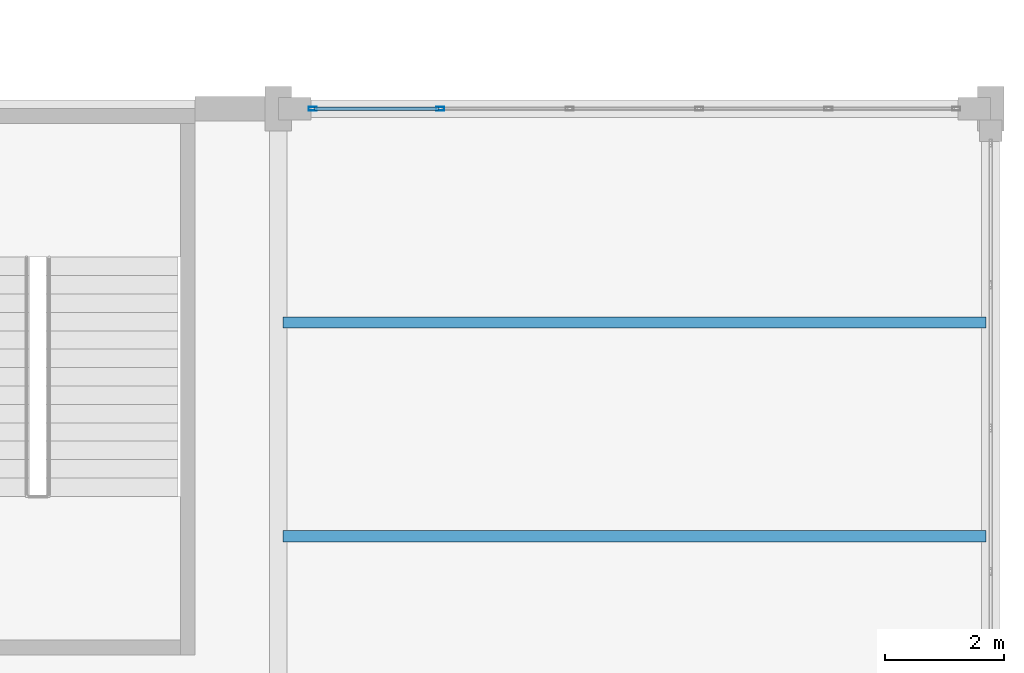
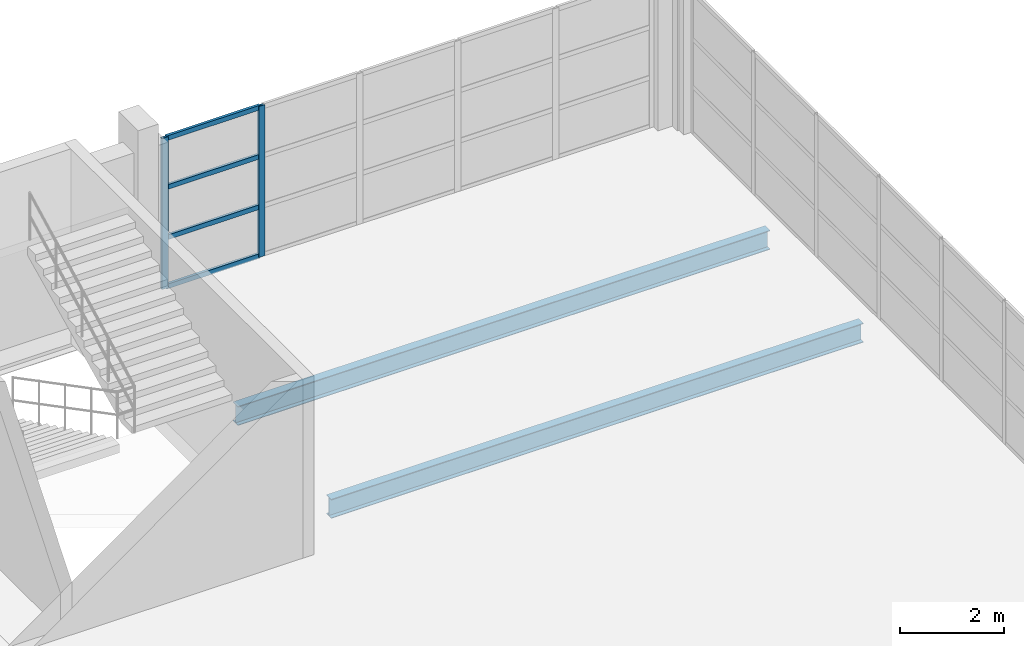
# One storey, part 116 of 147: 6 members, 2 beams, 1 element without a shape of its own.
"""IFC4 building model written with IfcOpenShell, lengths in metres."""

from ifc_helpers import new_model, si_unit, direction, frame, origin, origin_2d, place, context, subcontext, project, spatial, hollow_rectangle, i_section, extrude, material, layer, layer_set, material_profile, profile_set, type_object, element, aggregate, save


model = new_model("IFC4")

# Units and contexts
model_context = context("Model", 3, precision=1e-05, world=origin(), true_north=direction((0.0, 1.0)))
body_context = subcontext(model_context, "Body", "Model", "MODEL_VIEW")
ifc_project = project(units=[si_unit("LENGTHUNIT", "METRE"), si_unit("AREAUNIT", "SQUARE_METRE"), si_unit("VOLUMEUNIT", "CUBIC_METRE"), si_unit("PLANEANGLEUNIT", "RADIAN"), si_unit("MASSUNIT", "GRAM", prefix="KILO")], contexts=[model_context])

# Site, building, storey
site_placement = place(None, origin())
site = spatial("IfcSite", under=ifc_project, at=site_placement, CompositionType="ELEMENT")
building_placement = place(site_placement, origin())
building = spatial("IfcBuilding", under=site, at=building_placement, Name="Zilviju Railside Exhibition Hall", CompositionType="ELEMENT")
storey_placement = place(building_placement, frame((0.0, 0.0, 8.39990234375)))
storey = spatial("IfcBuildingStorey", under=building, at=storey_placement, Name="L03", CompositionType="ELEMENT", Elevation=8.39990234375)

# Beams
ifc_material_1 = material(Name="Steel S355J2", Category="steel")
ifc_material_profile_1 = material_profile(ifc_material_1, i_section(OverallWidth=0.18994140625, OverallDepth=0.449951171875, WebThickness=0.009521484375, FlangeThickness=0.0146484375, at=origin_2d()), Name="IPE 450")
ifc_profile_set_1 = profile_set([ifc_material_profile_1], Name="Steel S355J2")
beam_type = type_object("IfcBeamType", Name="BM-IPE450", PredefinedType="JOIST", material=ifc_profile_set_1)
for number, where, z_axis, x_axis, name in (
    (1, (204.080078125, 130.800048828125, -0.60498046875), (1.0, 0.0, 0.0), (0.0, 1.0, 0.0), "Composite Floor Joist L03 Y=130.80 (204.0..216.0)"),
    (2, (204.080078125, 134.39990234375, -0.60498046875), (1.0, 0.0, 0.0), (0.0, 1.0, 0.0), "Composite Floor Joist L03 Y=134.40 (204.0..216.0)"),
):
    element("IfcBeam", number, at=place(storey_placement, frame(where, z_axis=z_axis, x_axis=x_axis)), inside=storey, type_object=beam_type, Name=name, PredefinedType="JOIST", context=body_context, shape_type="SweptSolid", body=[
        extrude(i_section(OverallWidth=0.18994140625, OverallDepth=0.449951171875, WebThickness=0.009521484375, FlangeThickness=0.0146484375, at=origin_2d()), origin(), (0.0, 0.0, 1.0), 11.83984375),
    ])

# Curtain wall, members
ifc_material_2 = material(Name="Thermally broken aluminium-steel triple-glazed curtain wall", Category="steel")
ifc_layer = layer(ifc_material_2, 0.179931640625)
ifc_layer_set = layer_set([ifc_layer], Name="Thermally broken aluminium-steel triple-glazed curtain wall")
curtain_wall_type = type_object("IfcCurtainWallType", Name="CW-BAY-07", PredefinedType="USERDEFINED", material=ifc_layer_set)
curtain_wall_placement = place(storey_placement, origin())
curtain_wall = element("IfcCurtainWall", 3, at=curtain_wall_placement, inside=storey, type_object=curtain_wall_type, Name="North Hall Clerestory Curtain Wall L03 (204..216)", ObjectType="GLAZED CURTAIN WALL", PredefinedType="USERDEFINED")
ifc_material_3 = material(Name="Thermally broken anodized aluminium mullion", Category="aluminium")
ifc_material_profile_2 = material_profile(ifc_material_3, hollow_rectangle(XDim=0.06005859375, YDim=0.139892578125, WallThickness=0.0048828125, at=origin_2d()), Name="MULLION 140x60x5")
ifc_profile_set_2 = profile_set([ifc_material_profile_2], Name="Thermally broken anodized aluminium mullion")
member_type_1 = type_object("IfcMemberType", Name="CWM-60x140", PredefinedType="MULLION", material=ifc_profile_set_2)
member_1_placement = place(storey_placement, frame((204.580078125, 138.0, 0.0), z_axis=(0.0, 0.0, 1.0), x_axis=(0.0, 1.0, 0.0)))
member_1 = element("IfcMember", 4, at=member_1_placement, type_object=member_type_1, Name="CW-07 mullion 1", PredefinedType="MULLION", context=body_context, shape_type="SweptSolid", body=[
    extrude(hollow_rectangle(XDim=0.06005859375, YDim=0.139892578125, WallThickness=0.0048828125, at=origin_2d()), origin(), (0.0, 0.0, 1.0), 3.550048828125),
])
member_2_placement = place(storey_placement, frame((206.72998046875, 138.0, 0.0), z_axis=(0.0, 0.0, 1.0), x_axis=(0.0, 1.0, 0.0)))
member_2 = element("IfcMember", 5, at=member_2_placement, type_object=member_type_1, Name="CW-07 mullion 2", PredefinedType="MULLION", context=body_context, shape_type="SweptSolid", body=[
    extrude(hollow_rectangle(XDim=0.06005859375, YDim=0.139892578125, WallThickness=0.0048828125, at=origin_2d()), origin(), (0.0, 0.0, 1.0), 3.550048828125),
])
ifc_material_4 = material(Name="Thermally broken anodized aluminium transom", Category="aluminium")
ifc_material_profile_3 = material_profile(ifc_material_4, hollow_rectangle(XDim=0.06005859375, YDim=0.110107421875, WallThickness=0.0048828125, at=origin_2d()), Name="TRANSOM 110x60x5")
ifc_profile_set_3 = profile_set([ifc_material_profile_3], Name="Thermally broken anodized aluminium transom")
member_type_2 = type_object("IfcMemberType", Name="CWT-60x110", PredefinedType="USERDEFINED", material=ifc_profile_set_3)
member_3_placement = place(storey_placement, frame((204.610107421875, 138.0, 0.030029296875), z_axis=(1.0, 0.0, 0.0), x_axis=(0.0, 1.0, 0.0)))
member_3 = element("IfcMember", 6, at=member_3_placement, type_object=member_type_2, Name="CW-07 transom 1.1", ObjectType="TRANSOM", PredefinedType="USERDEFINED", context=body_context, shape_type="SweptSolid", body=[
    extrude(hollow_rectangle(XDim=0.06005859375, YDim=0.110107421875, WallThickness=0.0048828125, at=origin_2d()), origin(), (0.0, 0.0, 1.0), 2.08984375),
])
member_4_placement = place(storey_placement, frame((204.610107421875, 138.0, 1.18310546875), z_axis=(1.0, 0.0, 0.0), x_axis=(0.0, 1.0, 0.0)))
member_4 = element("IfcMember", 7, at=member_4_placement, type_object=member_type_2, Name="CW-07 transom 1.2", ObjectType="TRANSOM", PredefinedType="USERDEFINED", context=body_context, shape_type="SweptSolid", body=[
    extrude(hollow_rectangle(XDim=0.06005859375, YDim=0.110107421875, WallThickness=0.0048828125, at=origin_2d()), origin(), (0.0, 0.0, 1.0), 2.08984375),
])
member_5_placement = place(storey_placement, frame((204.610107421875, 138.0, 2.3671875), z_axis=(1.0, 0.0, 0.0), x_axis=(0.0, 1.0, 0.0)))
member_5 = element("IfcMember", 8, at=member_5_placement, type_object=member_type_2, Name="CW-07 transom 1.3", ObjectType="TRANSOM", PredefinedType="USERDEFINED", context=body_context, shape_type="SweptSolid", body=[
    extrude(hollow_rectangle(XDim=0.06005859375, YDim=0.110107421875, WallThickness=0.0048828125, at=origin_2d()), origin(), (0.0, 0.0, 1.0), 2.08984375),
])
member_6_placement = place(storey_placement, frame((204.610107421875, 138.0, 3.52001953125), z_axis=(1.0, 0.0, 0.0), x_axis=(0.0, 1.0, 0.0)))
member_6 = element("IfcMember", 9, at=member_6_placement, type_object=member_type_2, Name="CW-07 transom 1.4", ObjectType="TRANSOM", PredefinedType="USERDEFINED", context=body_context, shape_type="SweptSolid", body=[
    extrude(hollow_rectangle(XDim=0.06005859375, YDim=0.110107421875, WallThickness=0.0048828125, at=origin_2d()), origin(), (0.0, 0.0, 1.0), 2.08984375),
])
aggregate(curtain_wall, [member_1, member_2, member_3, member_4, member_5, member_6])

save(model, "model.ifc")
